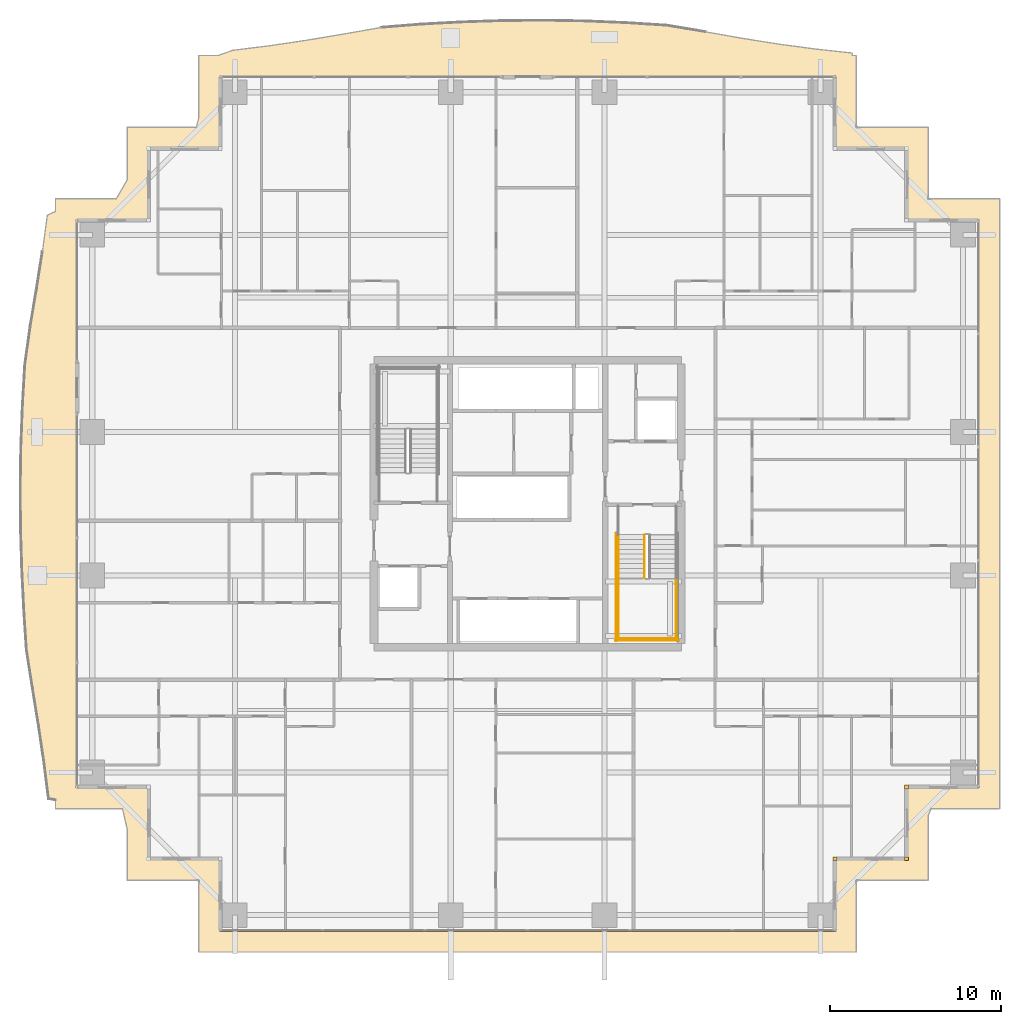
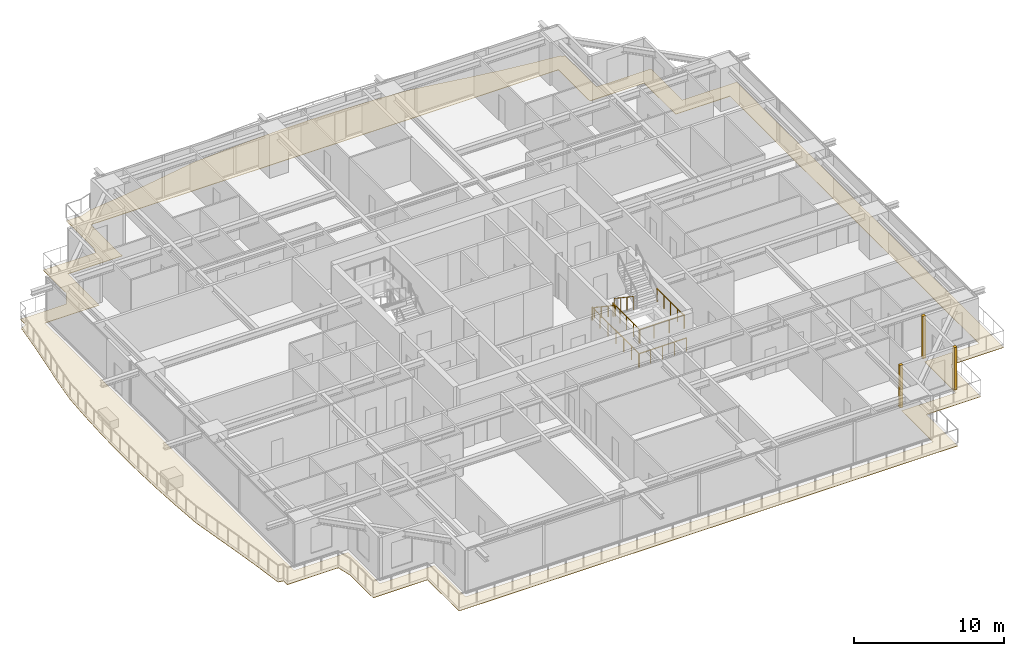
# One storey, part 32 of 35: 7 railings, 4 coverings.
"""IFC4 building model written with IfcOpenShell, lengths in metres."""

from ifc_helpers import new_model, si_unit, direction, frame, origin, origin_2d, place, context, subcontext, project, spatial, polyline, rectangle, circle, outline, extrude, source, transform, mapped, material, layer, layer_set, type_object, element, save


model = new_model("IFC4")

# Units and contexts
model_context = context("Model", 3, precision=1e-05, world=origin(), true_north=direction((0.0, 1.0)))
body_context = subcontext(model_context, "Body", "Model", "MODEL_VIEW")
ifc_project = project(units=[si_unit("LENGTHUNIT", "METRE"), si_unit("AREAUNIT", "SQUARE_METRE"), si_unit("VOLUMEUNIT", "CUBIC_METRE"), si_unit("PLANEANGLEUNIT", "RADIAN"), si_unit("MASSUNIT", "GRAM", prefix="KILO")], contexts=[model_context])

# Site, building, storey
site_placement = place(None, origin())
site = spatial("IfcSite", under=ifc_project, at=site_placement, CompositionType="ELEMENT")
building_placement = place(site_placement, origin())
building = spatial("IfcBuilding", under=site, at=building_placement, Name="Serunith Strait Residences", CompositionType="ELEMENT")
storey_placement = place(building_placement, frame((0.0, 0.0, 71.699951171875)))
storey = spatial("IfcBuildingStorey", under=building, at=storey_placement, Name="L17", CompositionType="ELEMENT", Elevation=71.699951171875)

# Covering
ifc_material_1 = material(Name="Golden Teak Exterior Timber Boarding", Category="wood")
ifc_layer_1 = layer(ifc_material_1, 0.034912109375, Name="Golden Teak Exterior Timber Boarding")
ifc_layer_set_1 = layer_set([ifc_layer_1], Name="Golden Teak Exterior Timber Boarding")
covering_type_1 = type_object("IfcCoveringType", Name="COV-TEAK-SOFFIT", PredefinedType="CEILING", material=ifc_layer_set_1)
covering_placement = place(storey_placement, frame((0.0, 0.0, -0.324951171875)))
element("IfcCovering", 1, at=covering_placement, inside=storey, type_object=covering_type_1, Name="L17 Golden-Teak Balcony Soffit Lining", PredefinedType="CEILING", context=body_context, shape_type="SweptSolid", body=[
    extrude(outline(polyline([(4.739990234375, 7.8486328125), (4.343994140625, 7.912841796875), (4.0751953125, 10.045166015625), (3.758056640625, 12.198974609375), (3.402587890625, 14.39013671875), (3.04833984375, 16.63916015625), (2.896240234375, 18.98828125), (2.779296875, 21.366455078125), (2.70751953125, 23.76611328125), (2.68896484375, 26.17529296875), (2.726318359375, 28.581298828125), (2.817138671875, 30.970947265625), (2.953369140625, 33.3330078125), (3.2705078125, 35.608642578125), (3.639892578125, 37.809814453125), (3.977294921875, 39.967529296875), (4.266845703125, 42.099609375), (4.739990234375, 42.315185546875), (4.739990234375, 43.06005859375), (8.30224609375, 43.06005859375), (8.93994140625, 44.169921875), (8.93994140625, 47.260009765625), (12.993408203125, 47.260009765625), (13.139892578125, 47.809814453125), (13.139892578125, 51.4599609375), (14.28369140625, 51.4599609375), (15.120361328125, 51.757080078125), (17.246826171875, 52.019775390625), (19.39208984375, 52.337890625), (21.572998046875, 52.703369140625), (23.808837890625, 53.093505859375), (26.156005859375, 53.28369140625), (28.544189453125, 53.412109375), (30.957275390625, 53.49072265625), (33.38134765625, 53.5107421875), (35.801513671875, 53.468505859375), (38.202392578125, 53.366943359375), (40.5712890625, 53.21630859375), (42.828369140625, 52.8369140625), (45.018310546875, 52.45361328125), (47.166259765625, 52.113037109375), (49.291259765625, 51.828369140625), (51.407958984375, 51.599853515625), (51.40673828125, 51.4599609375), (51.659912109375, 51.4599609375), (51.659912109375, 47.260009765625), (55.860107421875, 47.260009765625), (55.860107421875, 43.06005859375), (60.06005859375, 43.06005859375), (60.06005859375, 7.340087890625), (56.041259765625, 7.340087890625), (55.860107421875, 6.9423828125), (55.860107421875, 3.139892578125), (51.659912109375, 3.139892578125), (51.659912109375, -1.06005859375), (13.139892578125, -1.06005859375), (13.139892578125, 3.139892578125), (8.93994140625, 3.139892578125), (8.93994140625, 6.15087890625), (8.669921875, 7.340087890625), (4.739990234375, 7.340087890625), (4.739990234375, 7.8486328125)]), holes=[polyline([(50.455078125, 0.14501953125), (50.455078125, 4.344970703125), (54.655029296875, 4.344970703125), (54.655029296875, 8.544921875), (58.85498046875, 8.544921875), (58.85498046875, 41.85498046875), (54.655029296875, 41.85498046875), (54.655029296875, 46.054931640625), (50.455078125, 46.054931640625), (50.455078125, 50.2548828125), (14.344970703125, 50.2548828125), (14.344970703125, 46.054931640625), (10.14501953125, 46.054931640625), (10.14501953125, 41.85498046875), (5.945068359375, 41.85498046875), (5.945068359375, 8.544921875), (10.14501953125, 8.544921875), (10.14501953125, 4.344970703125), (14.344970703125, 4.344970703125), (14.344970703125, 0.14501953125), (50.455078125, 0.14501953125)])]), origin(), (0.0, 0.0, 1.0), 0.034912109375),
])

# Railings
ifc_material_2 = material(Name="Brushed stainless steel 316L", Category="steel")
railing_type_1 = type_object("IfcRailingType", Name="RLG-STAIR-GUARD", PredefinedType="BALUSTRADE", material=ifc_material_2)
railing_1_placement = place(storey_placement, frame((39.25, 23.3701171875, 0.1875)))
element("IfcRailing", 2, at=railing_1_placement, inside=storey, type_object=railing_type_1, Name="L17 ST-2 stair guard 1", PredefinedType="BALUSTRADE", context=body_context, shape_type="SweptSolid", body=[
    extrude(circle(Radius=0.02392578125, at=origin_2d()), frame((0.0, -0.001708984375, 1.0771484375), z_axis=(0.0, -0.830909170722, 0.55640807867), x_axis=(1.0, 0.0, 0.0)), (0.0, 0.0, 1.0), 3.02880859375),
    extrude(circle(Radius=0.02099609375, at=origin_2d()), origin(), (0.0, 0.0, 1.0), 1.050048828125),
    extrude(circle(Radius=0.02099609375, at=origin_2d()), frame((0.0, -0.840087890625, 0.5625)), (0.0, 0.0, 1.0), 1.050048828125),
    extrude(circle(Radius=0.02099609375, at=origin_2d()), frame((0.0, -1.679931640625, 1.125)), (0.0, 0.0, 1.0), 1.050048828125),
    extrude(circle(Radius=0.02099609375, at=origin_2d()), frame((0.0, -2.52001953125, 1.6875)), (0.0, 0.0, 1.0), 1.050048828125),
])
for number, where, name in (
    (3, (37.699951171875, 20.85009765625, 1.875), "L17 ST-2 stair guard 3"),
    (4, (41.10009765625, 20.85009765625, 1.875), "L17 ST-2 stair guard 4"),
):
    element("IfcRailing", number, at=place(storey_placement, frame(where)), inside=storey, type_object=railing_type_1, Name=name, PredefinedType="BALUSTRADE", context=body_context, shape_type="SweptSolid", body=[
        extrude(circle(Radius=0.02392578125, at=origin_2d()), frame((0.0, -0.001953125, 1.076171875), z_axis=(0.0, -1.0, 0.0), x_axis=(1.0, 0.0, 0.0)), (0.0, 0.0, 1.0), 3.59619140625),
        extrude(circle(Radius=0.02099609375, at=origin_2d()), origin(), (0.0, 0.0, 1.0), 1.050048828125),
        extrude(circle(Radius=0.02099609375, at=origin_2d()), frame((0.0, -0.89990234375, 0.0)), (0.0, 0.0, 1.0), 1.050048828125),
        extrude(circle(Radius=0.02099609375, at=origin_2d()), frame((0.0, -1.800048828125, 0.0)), (0.0, 0.0, 1.0), 1.050048828125),
        extrude(circle(Radius=0.02099609375, at=origin_2d()), frame((0.0, -2.7001953125, 0.0)), (0.0, 0.0, 1.0), 1.050048828125),
        extrude(circle(Radius=0.02099609375, at=origin_2d()), frame((0.0, -3.60009765625, 0.0)), (0.0, 0.0, 1.0), 1.050048828125),
    ])
railing_2_placement = place(storey_placement, frame((37.64990234375, 17.300048828125, 1.875)))
element("IfcRailing", 5, at=railing_2_placement, inside=storey, type_object=railing_type_1, Name="L17 ST-2 stair guard 5", PredefinedType="BALUSTRADE", context=body_context, shape_type="SweptSolid", body=[
    extrude(circle(Radius=0.02392578125, at=origin_2d()), frame((0.001953125, 0.0, 1.076171875), z_axis=(1.0, 0.0, 0.0), x_axis=(0.0, 1.0, 0.0)), (0.0, 0.0, 1.0), 3.49609375),
    extrude(circle(Radius=0.02099609375, at=origin_2d()), origin(), (0.0, 0.0, 1.0), 1.050048828125),
    extrude(circle(Radius=0.02099609375, at=origin_2d()), frame((1.166748046875, 0.0, 0.0)), (0.0, 0.0, 1.0), 1.050048828125),
    extrude(circle(Radius=0.02099609375, at=origin_2d()), frame((2.333251953125, 0.0, 0.0)), (0.0, 0.0, 1.0), 1.050048828125),
    extrude(circle(Radius=0.02099609375, at=origin_2d()), frame((3.5, 0.0, 0.0)), (0.0, 0.0, 1.0), 1.050048828125),
])
railing_3_placement = place(storey_placement, frame((37.60009765625, 23.469970703125, 0.0)))
element("IfcRailing", 6, at=railing_3_placement, inside=storey, type_object=railing_type_1, Name="L17 ST-2 stair guard 10", PredefinedType="BALUSTRADE", context=body_context, shape_type="SweptSolid", body=[
    extrude(circle(Radius=0.02392578125, at=origin_2d()), frame((0.0, -0.001953125, 1.076171875), z_axis=(0.0, -1.0, 0.0), x_axis=(1.0, 0.0, 0.0)), (0.0, 0.0, 1.0), 6.316162109375),
    extrude(circle(Radius=0.02099609375, at=origin_2d()), origin(), (0.0, 0.0, 1.0), 1.050048828125),
    extrude(circle(Radius=0.02099609375, at=origin_2d()), frame((0.0, -1.05322265625, 0.0)), (0.0, 0.0, 1.0), 1.050048828125),
    extrude(circle(Radius=0.02099609375, at=origin_2d()), frame((0.0, -2.106689453125, 0.0)), (0.0, 0.0, 1.0), 1.050048828125),
    extrude(circle(Radius=0.02099609375, at=origin_2d()), frame((0.0, -3.16015625, 0.0)), (0.0, 0.0, 1.0), 1.050048828125),
    extrude(circle(Radius=0.02099609375, at=origin_2d()), frame((0.0, -4.21337890625, 0.0)), (0.0, 0.0, 1.0), 1.050048828125),
    extrude(circle(Radius=0.02099609375, at=origin_2d()), frame((0.0, -5.2666015625, 0.0)), (0.0, 0.0, 1.0), 1.050048828125),
    extrude(circle(Radius=0.02099609375, at=origin_2d()), frame((0.0, -6.320068359375, 0.0)), (0.0, 0.0, 1.0), 1.050048828125),
])
railing_4_placement = place(storey_placement, frame((37.550048828125, 17.199951171875, 0.0)))
element("IfcRailing", 7, at=railing_4_placement, inside=storey, type_object=railing_type_1, Name="L17 ST-2 stair guard 12", PredefinedType="BALUSTRADE", context=body_context, shape_type="SweptSolid", body=[
    extrude(circle(Radius=0.02392578125, at=origin_2d()), frame((0.001953125, 0.0, 1.076171875), z_axis=(1.0, 0.0, 0.0), x_axis=(0.0, 1.0, 0.0)), (0.0, 0.0, 1.0), 3.696044921875),
    extrude(circle(Radius=0.02099609375, at=origin_2d()), origin(), (0.0, 0.0, 1.0), 1.050048828125),
    extrude(circle(Radius=0.02099609375, at=origin_2d()), frame((0.925048828125, 0.0, 0.0)), (0.0, 0.0, 1.0), 1.050048828125),
    extrude(circle(Radius=0.02099609375, at=origin_2d()), frame((1.85009765625, 0.0, 0.0)), (0.0, 0.0, 1.0), 1.050048828125),
    extrude(circle(Radius=0.02099609375, at=origin_2d()), frame((2.77490234375, 0.0, 0.0)), (0.0, 0.0, 1.0), 1.050048828125),
    extrude(circle(Radius=0.02099609375, at=origin_2d()), frame((3.699951171875, 0.0, 0.0)), (0.0, 0.0, 1.0), 1.050048828125),
])
railing_type_2 = type_object("IfcRailingType", Name="RLG-STAIR-HR", PredefinedType="HANDRAIL", material=ifc_material_2)
railing_5_placement = place(storey_placement, frame((37.699951171875, 23.3701171875, 0.1875)))
element("IfcRailing", 8, at=railing_5_placement, inside=storey, type_object=railing_type_2, Name="L17 ST-2 stair handrail 1", PredefinedType="HANDRAIL", context=body_context, shape_type="SweptSolid", body=[
    extrude(circle(Radius=0.02392578125, at=origin_2d()), frame((0.0, -0.001708984375, 0.876953125), z_axis=(0.0, -0.830208209119, 0.557453432594), x_axis=(1.0, 0.0, 0.0)), (0.0, 0.0, 1.0), 3.36865234375),
    extrude(circle(Radius=0.02099609375, at=origin_2d()), origin(), (0.0, 0.0, 1.0), 0.849853515625),
    extrude(circle(Radius=0.02099609375, at=origin_2d()), frame((0.0, -0.933349609375, 0.626708984375)), (0.0, 0.0, 1.0), 0.849853515625),
    extrude(circle(Radius=0.02099609375, at=origin_2d()), frame((0.0, -1.86669921875, 1.25341796875)), (0.0, 0.0, 1.0), 0.849853515625),
    extrude(circle(Radius=0.02099609375, at=origin_2d()), frame((0.0, -2.800048828125, 1.880126953125)), (0.0, 0.0, 1.0), 0.849853515625),
])

# Coverings
ifc_material_3 = material(Name="Pale-Champagne Anodised Aluminium", Category="aluminium")
ifc_layer_2 = layer(ifc_material_3, 0.219970703125, Name="Pale-Champagne Anodised Aluminium")
ifc_layer_set_2 = layer_set([ifc_layer_2], Name="Pale-Champagne Anodised Aluminium")
covering_type_2 = type_object("IfcCoveringType", Name="COV-CORN-TRIM", PredefinedType="CLADDING", material=ifc_layer_set_2)
shared_shape = source(origin(), body_context, "Body", "SweptSolid", [
    extrude(rectangle(XDim=0.221923828125, YDim=0.221923828125, at=origin_2d()), origin(), (0.0, 0.0, 1.0), 3.47509765625),
])
for number, where, z_axis, x_axis, name in (
    (9, (50.39990234375, 4.39990234375, 0.0), (0.0, 0.0, 1.0), (1.0, 0.0, 0.0), "L17 Girih Serrated Corner Trim Post 02"),
    (10, (54.60009765625, 4.39990234375, 0.0), (0.0, 0.0, 1.0), (1.0, 0.0, 0.0), "L17 Girih Serrated Corner Trim Post 03"),
    (11, (54.60009765625, 8.60009765625, 0.0), (0.0, 0.0, 1.0), (1.0, 0.0, 0.0), "L17 Girih Serrated Corner Trim Post 04"),
):
    element("IfcCovering", number, at=place(storey_placement, frame(where, z_axis=z_axis, x_axis=x_axis)), inside=storey, type_object=covering_type_2, Name=name, PredefinedType="CLADDING", context=body_context, shape_type="MappedRepresentation", body=[
        mapped(shared_shape, transform((0.0, 0.0, 0.0), scale=1.0)),
    ])

save(model, "model.ifc")
